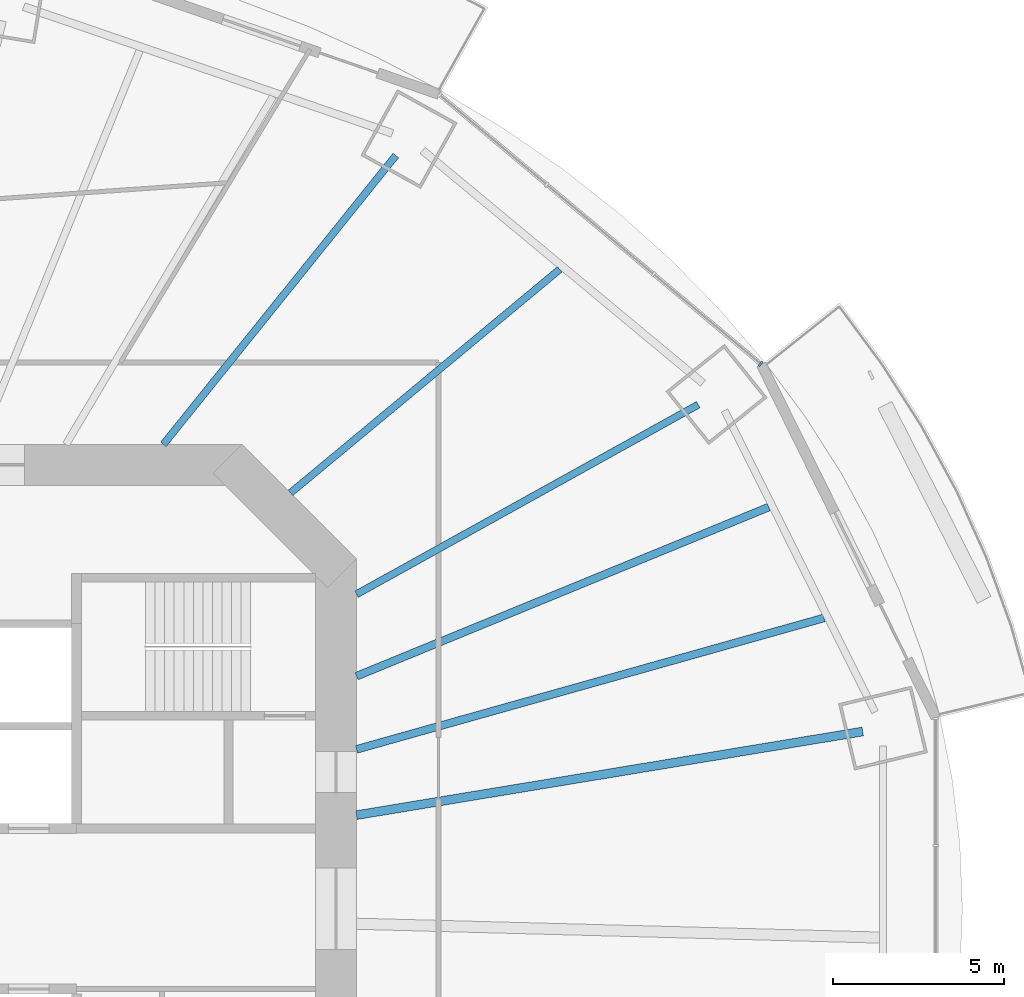
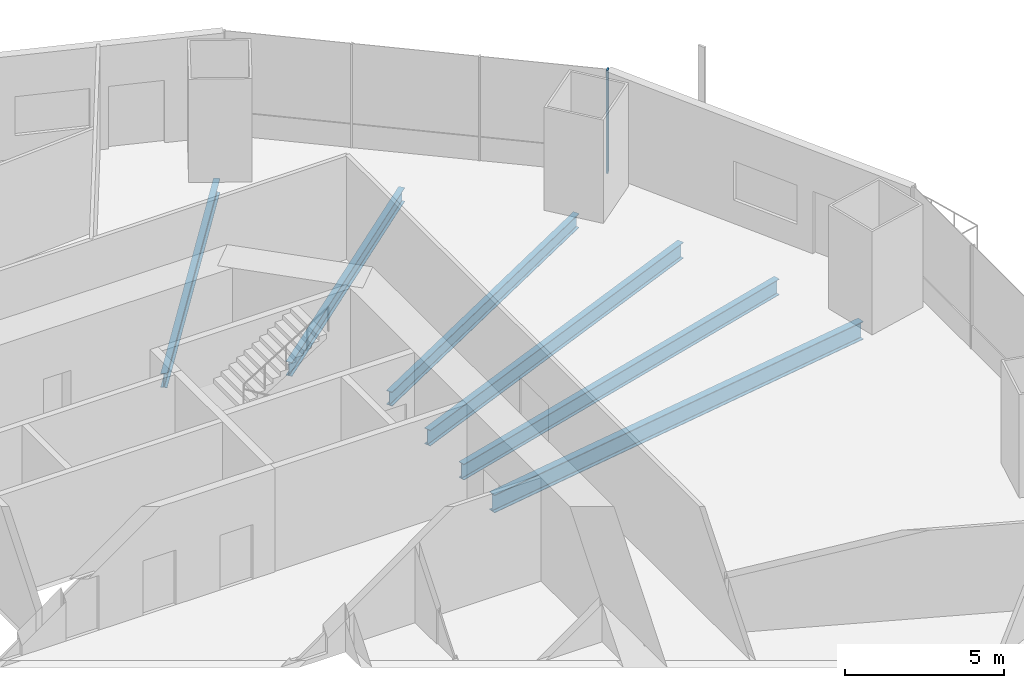
# One storey, part 8 of 22: 6 beams, 1 member, 1 element without a shape of its own.
"""IFC4 building model written with IfcOpenShell, lengths in metres."""

from ifc_helpers import new_model, si_unit, direction, frame, origin, origin_2d, place, context, subcontext, project, spatial, rectangle, i_section, extrude, material, material_profile, profile_set, type_object, element, aggregate, save


model = new_model("IFC4")

# Units and contexts
model_context = context("Model", 3, precision=1e-05, world=origin(), true_north=direction((0.0, 1.0)))
body_context = subcontext(model_context, "Body", "Model", "MODEL_VIEW")
ifc_project = project(units=[si_unit("LENGTHUNIT", "METRE"), si_unit("AREAUNIT", "SQUARE_METRE"), si_unit("VOLUMEUNIT", "CUBIC_METRE"), si_unit("PLANEANGLEUNIT", "RADIAN"), si_unit("MASSUNIT", "GRAM", prefix="KILO")], contexts=[model_context])

# Site, building, storey
site_placement = place(None, origin())
site = spatial("IfcSite", under=ifc_project, at=site_placement, CompositionType="ELEMENT")
building_placement = place(site_placement, origin())
building = spatial("IfcBuilding", under=site, at=building_placement, Name="Marenthal Gate Tower", CompositionType="ELEMENT")
storey_placement = place(building_placement, frame((0.0, 0.0, 111.85009765625)))
storey = spatial("IfcBuildingStorey", under=building, at=storey_placement, Name="L23", CompositionType="ELEMENT", Elevation=111.85009765625)

# Curtain wall, member
ifc_material_1 = material(Name="Aluminium and glass", Category="aluminium")
curtain_wall_type = type_object("IfcCurtainWallType", Name="Curtain wall typical low", PredefinedType="NOTDEFINED", material=ifc_material_1)
curtain_wall_placement = place(storey_placement, origin())
curtain_wall = element("IfcCurtainWall", 1, at=curtain_wall_placement, inside=storey, type_object=curtain_wall_type, Name="Curtain wall L23 bay 2", PredefinedType="NOTDEFINED")
ifc_material_2 = material(Name="Aluminium", Category="aluminium")
ifc_material_profile_1 = material_profile(ifc_material_2, rectangle(XDim=0.159912109375, YDim=0.06005859375, at=origin_2d()), Name="60x160 aluminium mullion")
ifc_profile_set_1 = profile_set([ifc_material_profile_1], Name="Aluminium")
member_type = type_object("IfcMemberType", Name="Mullion 60x160 typical low", PredefinedType="MULLION", material=ifc_profile_set_1)
member_placement = place(storey_placement, frame((28.434814453125, 15.95751953125, 0.0), z_axis=(0.0, 0.0, 1.0), x_axis=(-0.642377082487, -0.766388728972, 0.0)))
member = element("IfcMember", 2, at=member_placement, type_object=member_type, Name="Mullion L23 bay 2.1", PredefinedType="MULLION", context=body_context, shape_type="SweptSolid", body=[
    extrude(rectangle(XDim=0.159912109375, YDim=0.06005859375, at=origin_2d()), origin(), (0.0, 0.0, 1.0), 3.969970703125),
])
aggregate(curtain_wall, [member])

# Beams
ifc_material_3 = material(Name="Steel S355", Category="steel")
ifc_material_profile_2 = material_profile(ifc_material_3, i_section(OverallWidth=0.2099609375, OverallDepth=0.535888671875, WebThickness=0.010986328125, FlangeThickness=0.017333984375, FilletRadius=0.0126953125, at=origin_2d()), Name="W530X101")
ifc_profile_set_2 = profile_set([ifc_material_profile_2], Name="Steel S355")
beam_type_1 = type_object("IfcBeamType", Name="W530X101 beam", PredefinedType="BEAM", material=ifc_profile_set_2)
beam_1_placement = place(storey_placement, frame((22.551025390625, 18.7255859375, -0.447998046875), z_axis=(-0.769343150929, -0.638835750501, 0.0), x_axis=(0.638835750501, -0.769343150929, 0.0)))
element("IfcBeam", 3, at=beam_1_placement, inside=storey, type_object=beam_type_1, Name="BM-L23-19", PredefinedType="BEAM", context=body_context, shape_type="SweptSolid", body=[
    extrude(i_section(OverallWidth=0.2099609375, OverallDepth=0.535888671875, WebThickness=0.010986328125, FlangeThickness=0.017333984375, FilletRadius=0.0126953125, at=origin_2d()), origin(), (0.0, 0.0, 1.0), 10.245849609375),
])
ifc_material_4 = material(Name="Steel S355", Category="steel")
ifc_material_profile_3 = material_profile(ifc_material_4, i_section(OverallWidth=0.2119140625, OverallDepth=0.5439453125, WebThickness=0.01318359375, FlangeThickness=0.021240234375, FilletRadius=0.0126953125, at=origin_2d()), Name="W530X123")
ifc_profile_set_3 = profile_set([ifc_material_profile_3], Name="Steel S355")
beam_type_2 = type_object("IfcBeamType", Name="W530X123 beam", PredefinedType="BEAM", material=ifc_profile_set_3)
beam_2_placement = place(storey_placement, frame((26.605224609375, 14.761474609375, -0.4521484375), z_axis=(-0.87442184895, -0.485166394218, 0.0), x_axis=(0.485166394218, -0.87442184895, 0.0)))
element("IfcBeam", 4, at=beam_2_placement, inside=storey, type_object=beam_type_2, Name="BM-L23-02", PredefinedType="BEAM", context=body_context, shape_type="SweptSolid", body=[
    extrude(i_section(OverallWidth=0.2119140625, OverallDepth=0.5439453125, WebThickness=0.01318359375, FlangeThickness=0.021240234375, FilletRadius=0.0126953125, at=origin_2d()), origin(), (0.0, 0.0, 1.0), 11.44189453125),
])
beam_3_placement = place(storey_placement, frame((17.750732421875, 22.059326171875, -0.4521484375), z_axis=(-0.626924535124, -0.779079987716, 0.0), x_axis=(0.779079987716, -0.626924535124, 0.0)))
element("IfcBeam", 5, at=beam_3_placement, inside=storey, type_object=beam_type_2, Name="BM-L23-03", PredefinedType="BEAM", context=body_context, shape_type="SweptSolid", body=[
    extrude(i_section(OverallWidth=0.2119140625, OverallDepth=0.5439453125, WebThickness=0.01318359375, FlangeThickness=0.021240234375, FilletRadius=0.0126953125, at=origin_2d()), origin(), (0.0, 0.0, 1.0), 10.85791015625),
])
ifc_material_5 = material(Name="Steel S355", Category="steel")
ifc_material_profile_4 = material_profile(ifc_material_5, i_section(OverallWidth=0.22900390625, OverallDepth=0.612060546875, WebThickness=0.011962890625, FlangeThickness=0.01953125, FilletRadius=0.0126953125, at=origin_2d()), Name="W610X125")
ifc_profile_set_4 = profile_set([ifc_material_profile_4], Name="Steel S355")
beam_type_3 = type_object("IfcBeamType", Name="W610X125 beam", PredefinedType="BEAM", material=ifc_profile_set_4)
beam_4_placement = place(storey_placement, frame((30.2900390625, 8.5166015625, -0.486083984375), z_axis=(-0.962672470775, -0.270669011917, 0.0), x_axis=(0.270669011917, -0.962672470775, 0.0)))
element("IfcBeam", 6, at=beam_4_placement, inside=storey, type_object=beam_type_3, Name="BM-L23-17", PredefinedType="BEAM", context=body_context, shape_type="SweptSolid", body=[
    extrude(i_section(OverallWidth=0.22900390625, OverallDepth=0.612060546875, WebThickness=0.011962890625, FlangeThickness=0.01953125, FilletRadius=0.0126953125, at=origin_2d()), origin(), (0.0, 0.0, 1.0), 14.220703125),
])
beam_5_placement = place(storey_placement, frame((28.670654296875, 11.7626953125, -0.486083984375), z_axis=(-0.925165248612, -0.379564569949, 0.0), x_axis=(0.379564569949, -0.925165248612, 0.0)))
element("IfcBeam", 7, at=beam_5_placement, inside=storey, type_object=beam_type_3, Name="BM-L23-18", PredefinedType="BEAM", context=body_context, shape_type="SweptSolid", body=[
    extrude(i_section(OverallWidth=0.22900390625, OverallDepth=0.612060546875, WebThickness=0.011962890625, FlangeThickness=0.01953125, FilletRadius=0.0126953125, at=origin_2d()), origin(), (0.0, 0.0, 1.0), 13.046875),
])
ifc_material_6 = material(Name="Steel S355", Category="steel")
ifc_material_profile_5 = material_profile(ifc_material_6, i_section(OverallWidth=0.257080078125, OverallDepth=0.693115234375, WebThickness=0.014404296875, FlangeThickness=0.023681640625, FilletRadius=0.015380859375, at=origin_2d()), Name="W690X170")
ifc_profile_set_5 = profile_set([ifc_material_profile_5], Name="Steel S355")
beam_type_4 = type_object("IfcBeamType", Name="W690X170 beam", PredefinedType="BEAM", material=ifc_profile_set_5)
beam_6_placement = place(storey_placement, frame((31.423828125, 5.190185546875, -0.526611328125), z_axis=(-0.986631792526, -0.162965352074, 0.0), x_axis=(0.162965352074, -0.986631792526, 0.0)))
element("IfcBeam", 8, at=beam_6_placement, inside=storey, type_object=beam_type_4, Name="BM-L23-01", PredefinedType="BEAM", context=body_context, shape_type="SweptSolid", body=[
    extrude(i_section(OverallWidth=0.257080078125, OverallDepth=0.693115234375, WebThickness=0.014404296875, FlangeThickness=0.023681640625, FilletRadius=0.015380859375, at=origin_2d()), origin(), (0.0, 0.0, 1.0), 15.024658203125),
])

save(model, "model.ifc")
